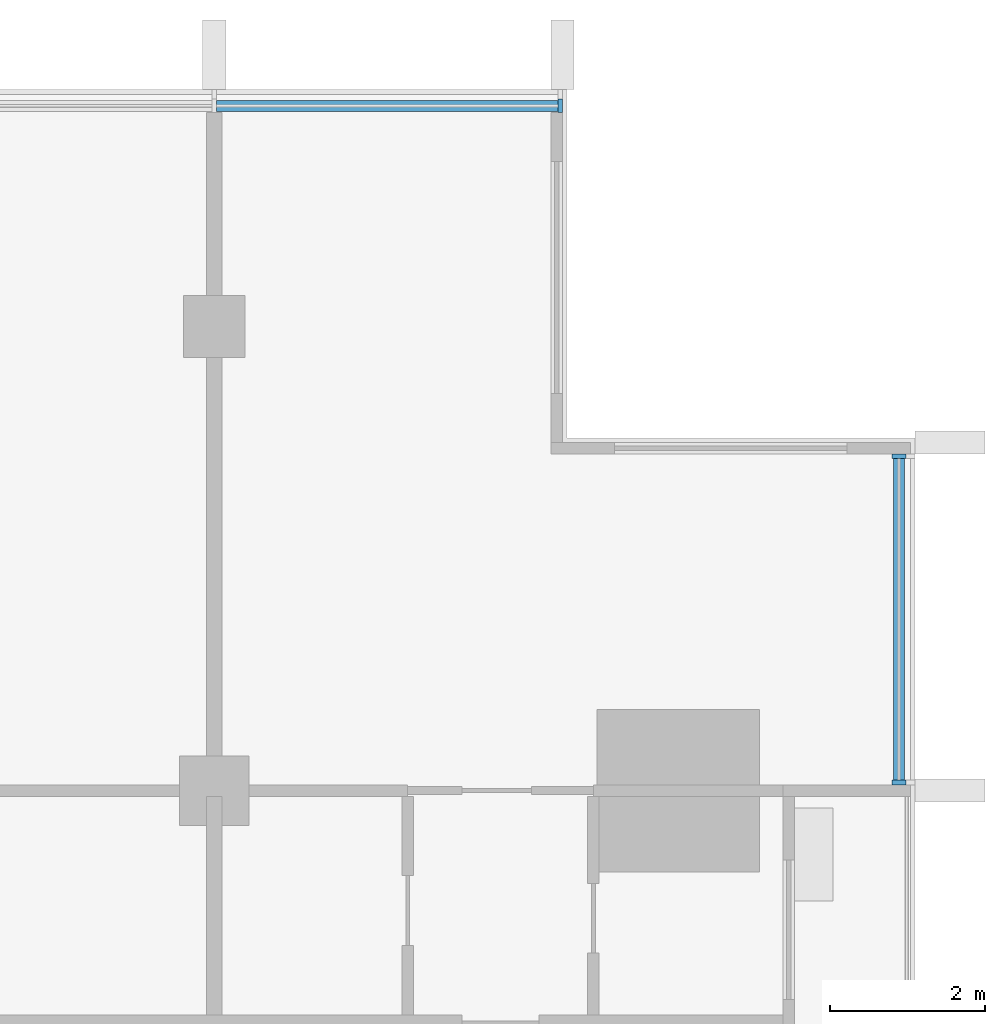
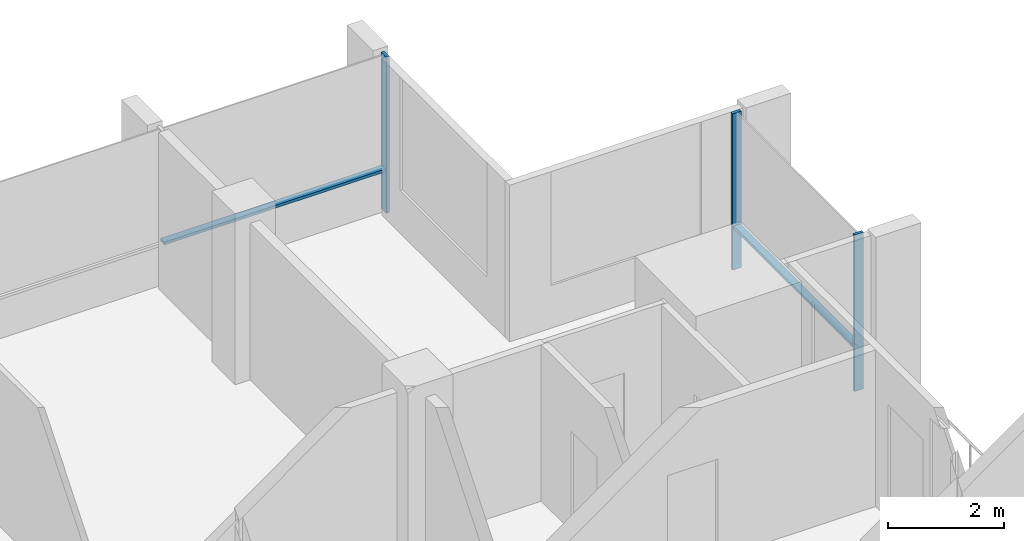
# One storey, part 5 of 16: 5 members, 2 elements without a shape of their own.
"""IFC4 building model written with IfcOpenShell, lengths in metres."""

from ifc_helpers import new_model, si_unit, direction, frame, origin, origin_2d, place, context, subcontext, project, spatial, rectangle, extrude, material, material_profile, profile_set, type_object, element, aggregate, save


model = new_model("IFC4")

# Units and contexts
model_context = context("Model", 3, precision=1e-05, world=origin(), true_north=direction((0.0, 1.0)))
body_context = subcontext(model_context, "Body", "Model", "MODEL_VIEW")
ifc_project = project(units=[si_unit("LENGTHUNIT", "METRE"), si_unit("AREAUNIT", "SQUARE_METRE"), si_unit("VOLUMEUNIT", "CUBIC_METRE"), si_unit("PLANEANGLEUNIT", "RADIAN"), si_unit("MASSUNIT", "GRAM", prefix="KILO")], contexts=[model_context])

# Site, building, storey
site_placement = place(None, origin())
site = spatial("IfcSite", under=ifc_project, at=site_placement, CompositionType="ELEMENT")
building_placement = place(site_placement, origin())
building = spatial("IfcBuilding", under=site, at=building_placement, Name="Finial Court Residences", CompositionType="ELEMENT")
storey_placement = place(building_placement, frame((0.0, 0.0, 237.5)))
storey = spatial("IfcBuildingStorey", under=building, at=storey_placement, Name="L60", CompositionType="ELEMENT", Elevation=237.5)

# Curtain wall, member
ifc_material = material(Name="Bronze anodised aluminium", Category="aluminium")
curtain_wall_type = type_object("IfcCurtainWallType", Name="Unitised curtain wall, upper zones", PredefinedType="NOTDEFINED", material=ifc_material)
curtain_wall_1_placement = place(storey_placement, origin())
curtain_wall_1 = element("IfcCurtainWall", 1, at=curtain_wall_1_placement, inside=storey, type_object=curtain_wall_type, Name="E-L60-CW-N3", PredefinedType="NOTDEFINED")
ifc_material_profile_1 = material_profile(ifc_material, rectangle(XDim=0.175048828125, YDim=0.06005859375, at=origin_2d()), Name="CW2 mullion 60 x 175")
ifc_profile_set_1 = profile_set([ifc_material_profile_1], Name="Bronze anodised aluminium")
member_type_1 = type_object("IfcMemberType", Name="CW2 mullion 60 x 175", PredefinedType="MULLION", material=ifc_profile_set_1)
member_1_placement = place(storey_placement, frame((14.969970703125, 16.35009765625, 0.0), z_axis=(0.0, 0.0, 1.0), x_axis=(0.0, 1.0, 0.0)))
member_1 = element("IfcMember", 2, at=member_1_placement, type_object=member_type_1, Name="CW2 mullion 3", PredefinedType="MULLION", context=body_context, shape_type="SweptSolid", body=[
    extrude(rectangle(XDim=0.175048828125, YDim=0.06005859375, at=origin_2d()), origin(), (0.0, 0.0, 1.0), 3.300048828125),
])

# Curtain wall, members
curtain_wall_2_placement = place(storey_placement, origin())
curtain_wall_2 = element("IfcCurtainWall", 3, at=curtain_wall_2_placement, inside=storey, type_object=curtain_wall_type, Name="E-L60-CW-E7", PredefinedType="NOTDEFINED")
member_2_placement = place(storey_placement, frame((19.35009765625, 7.60498046875, 0.0), z_axis=(0.0, 0.0, 1.0), x_axis=(-1.0, 0.0, 0.0)))
member_2 = element("IfcMember", 4, at=member_2_placement, type_object=member_type_1, Name="CW2 mullion 1", PredefinedType="MULLION", context=body_context, shape_type="SweptSolid", body=[
    extrude(rectangle(XDim=0.175048828125, YDim=0.06005859375, at=origin_2d()), origin(), (0.0, 0.0, 1.0), 3.300048828125),
])
member_3_placement = place(storey_placement, frame((19.35009765625, 11.820068359375, 0.0), z_axis=(0.0, 0.0, 1.0), x_axis=(-1.0, 0.0, 0.0)))
member_3 = element("IfcMember", 5, at=member_3_placement, type_object=member_type_1, Name="CW2 mullion 2", PredefinedType="MULLION", context=body_context, shape_type="SweptSolid", body=[
    extrude(rectangle(XDim=0.175048828125, YDim=0.06005859375, at=origin_2d()), origin(), (0.0, 0.0, 1.0), 3.300048828125),
])

# Member
ifc_material_profile_2 = material_profile(ifc_material, rectangle(XDim=0.139892578125, YDim=0.06005859375, at=origin_2d()), Name="CW2 transom 60 x 140")
ifc_profile_set_2 = profile_set([ifc_material_profile_2], Name="Bronze anodised aluminium")
member_type_2 = type_object("IfcMemberType", Name="CW2 transom 60 x 140", PredefinedType="USERDEFINED", material=ifc_profile_set_2)
member_4_placement = place(storey_placement, frame((10.530029296875, 16.35009765625, 0.89990234375), z_axis=(1.0, 0.0, 0.0), x_axis=(0.0, 1.0, 0.0)))
member_4 = element("IfcMember", 6, at=member_4_placement, type_object=member_type_2, Name="CW2 transom 2.1", ObjectType="TRANSOM", PredefinedType="USERDEFINED", context=body_context, shape_type="SweptSolid", body=[
    extrude(rectangle(XDim=0.139892578125, YDim=0.06005859375, at=origin_2d()), origin(), (0.0, 0.0, 1.0), 4.409912109375),
])

aggregate(curtain_wall_1, [member_1, member_4])

member_5_placement = place(storey_placement, frame((19.35009765625, 7.635009765625, 0.89990234375), z_axis=(0.0, 1.0, 0.0), x_axis=(-1.0, 0.0, 0.0)))
member_5 = element("IfcMember", 7, at=member_5_placement, type_object=member_type_2, Name="CW2 transom 1.1", ObjectType="TRANSOM", PredefinedType="USERDEFINED", context=body_context, shape_type="SweptSolid", body=[
    extrude(rectangle(XDim=0.139892578125, YDim=0.06005859375, at=origin_2d()), origin(), (0.0, 0.0, 1.0), 4.155029296875),
])

aggregate(curtain_wall_2, [member_2, member_3, member_5])

save(model, "model.ifc")
